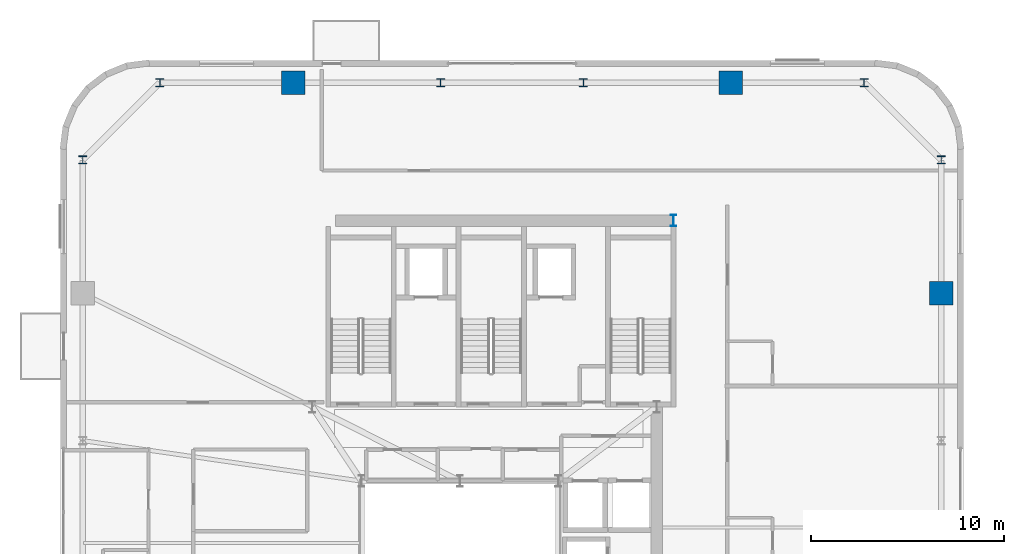
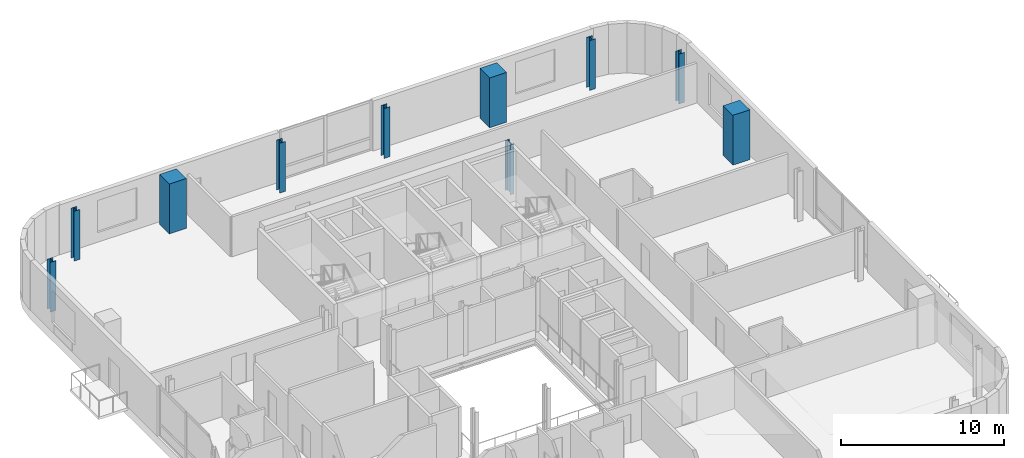
# One storey, part 2 of 15: 10 columns.
"""IFC4 building model written with IfcOpenShell, lengths in metres."""

from ifc_helpers import new_model, si_unit, direction, frame, origin, origin_2d, place, context, subcontext, project, spatial, rectangle, i_section, extrude, source, transform, mapped, material, material_profile, profile_set, type_object, element, save


model = new_model("IFC4")

# Units and contexts
model_context = context("Model", 3, precision=1e-05, world=origin(), true_north=direction((0.0, 1.0)))
body_context = subcontext(model_context, "Body", "Model", "MODEL_VIEW")
ifc_project = project(units=[si_unit("LENGTHUNIT", "METRE"), si_unit("AREAUNIT", "SQUARE_METRE"), si_unit("VOLUMEUNIT", "CUBIC_METRE"), si_unit("PLANEANGLEUNIT", "RADIAN"), si_unit("MASSUNIT", "GRAM", prefix="KILO")], contexts=[model_context])

# Site, building, storey
site_placement = place(None, origin())
site = spatial("IfcSite", under=ifc_project, at=site_placement, CompositionType="ELEMENT")
building_placement = place(site_placement, origin())
building = spatial("IfcBuilding", under=site, at=building_placement, Name="Vardaveli Station Tower", CompositionType="ELEMENT")
storey_placement = place(building_placement, frame((0.0, 0.0, 242.699951171875)))
storey = spatial("IfcBuildingStorey", under=building, at=storey_placement, Name="L62", CompositionType="ELEMENT", Elevation=242.699951171875)

# Columns
ifc_material_1 = material(Name="Structural steel S460M", Category="steel")
ifc_material_profile_1 = material_profile(ifc_material_1, i_section(OverallWidth=0.300048828125, OverallDepth=0.60009765625, WebThickness=0.015380859375, FlangeThickness=0.030029296875, FilletRadius=0.027099609375, at=origin_2d()), Name="HEB 600")
ifc_profile_set_1 = profile_set([ifc_material_profile_1], Name="Structural steel S460M")
column_type_1 = type_object("IfcColumnType", Name="COL-HEB600", PredefinedType="COLUMN", material=ifc_profile_set_1)
shared_shape_1 = source(origin(), body_context, "Body", "SweptSolid", [
    extrude(i_section(OverallWidth=0.300048828125, OverallDepth=0.60009765625, WebThickness=0.015380859375, FlangeThickness=0.030029296875, FilletRadius=0.027099609375, at=origin_2d()), origin(), (0.0, 0.0, 1.0), 3.72998046875),
])
column_placement = place(storey_placement, frame((47.3701171875, 40.300048828125, 0.0), z_axis=(0.0, 0.0, 1.0), x_axis=(1.0, 0.0, 0.0)))
element("IfcColumn", 1, at=column_placement, inside=storey, type_object=column_type_1, Name="COL-L62-CC3", PredefinedType="COLUMN", context=body_context, shape_type="MappedRepresentation", body=[
    mapped(shared_shape_1, transform((0.0, 0.0, 0.0), scale=1.0)),
])
ifc_material_2 = material(Name="Concrete C50/60", Category="concrete")
ifc_material_profile_2 = material_profile(ifc_material_2, rectangle(XDim=1.199951171875, YDim=1.199951171875, at=origin_2d()), Name="MC 1200x1200")
ifc_profile_set_2 = profile_set([ifc_material_profile_2], Name="Concrete C50/60")
column_type_2 = type_object("IfcColumnType", Name="COL-MC-1200", PredefinedType="COLUMN", material=ifc_profile_set_2)
shared_shape_2 = source(origin(), body_context, "Body", "SweptSolid", [
    extrude(rectangle(XDim=1.199951171875, YDim=1.199951171875, at=origin_2d()), origin(), (0.0, 0.0, 1.0), 3.72998046875),
])
for number, where, z_axis, x_axis, name in (
    (2, (61.25, 36.5400390625, 0.0), (0.0, 0.0, 1.0), (1.0, 0.0, 0.0), "COL-L62-MC4"),
    (3, (50.340087890625, 47.449951171875, 0.0), (0.0, 0.0, 1.0), (1.0, 0.0, 0.0), "COL-L62-MC5"),
    (4, (27.659912109375, 47.449951171875, 0.0), (0.0, 0.0, 1.0), (1.0, 0.0, 0.0), "COL-L62-MC6"),
):
    element("IfcColumn", number, at=place(storey_placement, frame(where, z_axis=z_axis, x_axis=x_axis)), inside=storey, type_object=column_type_2, Name=name, PredefinedType="COLUMN", context=body_context, shape_type="MappedRepresentation", body=[
        mapped(shared_shape_2, transform((0.0, 0.0, 0.0), scale=1.0)),
    ])
ifc_material_profile_3 = material_profile(ifc_material_1, i_section(OverallWidth=0.405029296875, OverallDepth=0.403076171875, WebThickness=0.017822265625, FlangeThickness=0.02783203125, FilletRadius=0.014892578125, at=origin_2d()), Name="HD 400x287")
ifc_profile_set_3 = profile_set([ifc_material_profile_3], Name="Structural steel S460M")
column_type_3 = type_object("IfcColumnType", Name="COL-HD287", PredefinedType="COLUMN", material=ifc_profile_set_3)
shared_shape_3 = source(origin(), body_context, "Body", "SweptSolid", [
    extrude(i_section(OverallWidth=0.405029296875, OverallDepth=0.403076171875, WebThickness=0.017822265625, FlangeThickness=0.02783203125, FilletRadius=0.014892578125, at=origin_2d()), origin(), (0.0, 0.0, 1.0), 3.72998046875),
])
for number, where, z_axis, x_axis, name in (
    (5, (61.25, 43.449951171875, 0.0), (0.0, 0.0, 1.0), (1.0, 0.0, 0.0), "COL-L62-PC08"),
    (6, (57.25, 47.449951171875, 0.0), (0.0, 0.0, 1.0), (1.0, 0.0, 0.0), "COL-L62-PC09"),
    (7, (42.699951171875, 47.449951171875, 0.0), (0.0, 0.0, 1.0), (1.0, 0.0, 0.0), "COL-L62-PC10"),
    (8, (35.300048828125, 47.449951171875, 0.0), (0.0, 0.0, 1.0), (1.0, 0.0, 0.0), "COL-L62-PC11"),
    (9, (20.75, 47.449951171875, 0.0), (0.0, 0.0, 1.0), (1.0, 0.0, 0.0), "COL-L62-PC12"),
    (10, (16.75, 43.449951171875, 0.0), (0.0, 0.0, 1.0), (1.0, 0.0, 0.0), "COL-L62-PC13"),
):
    element("IfcColumn", number, at=place(storey_placement, frame(where, z_axis=z_axis, x_axis=x_axis)), inside=storey, type_object=column_type_3, Name=name, PredefinedType="COLUMN", context=body_context, shape_type="MappedRepresentation", body=[
        mapped(shared_shape_3, transform((0.0, 0.0, 0.0), scale=1.0)),
    ])

save(model, "model.ifc")
